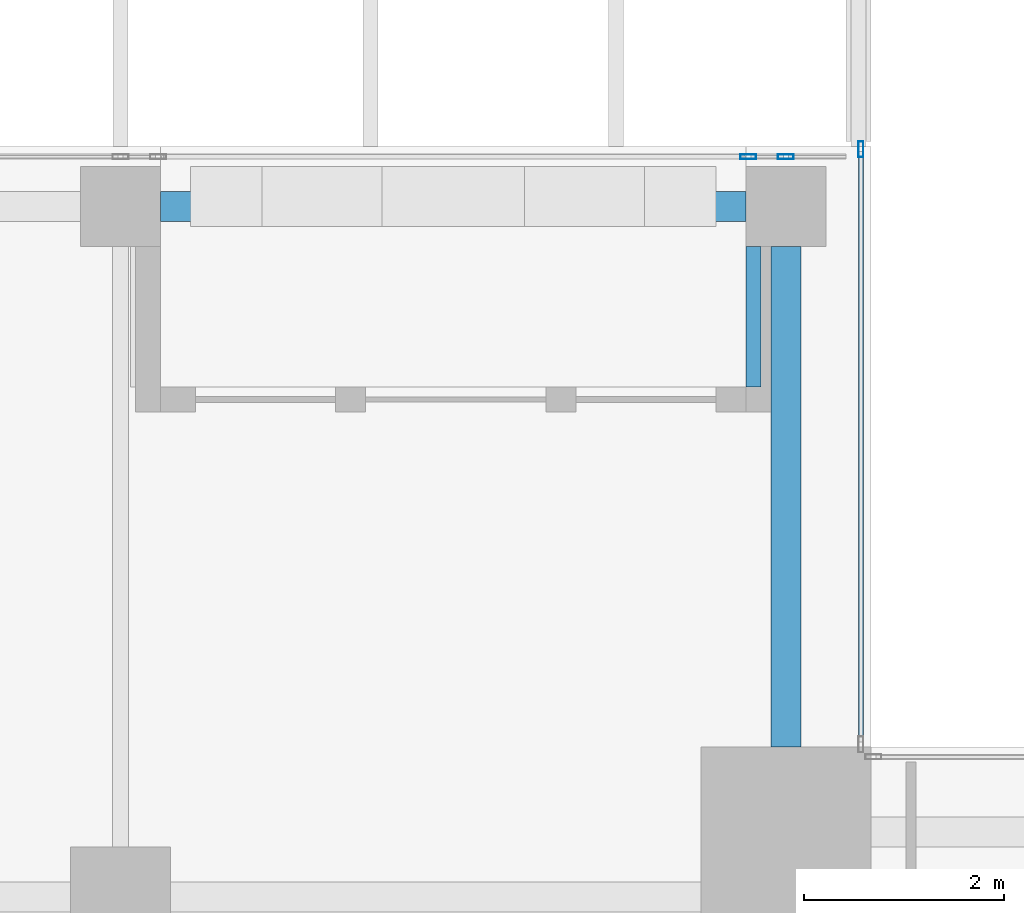
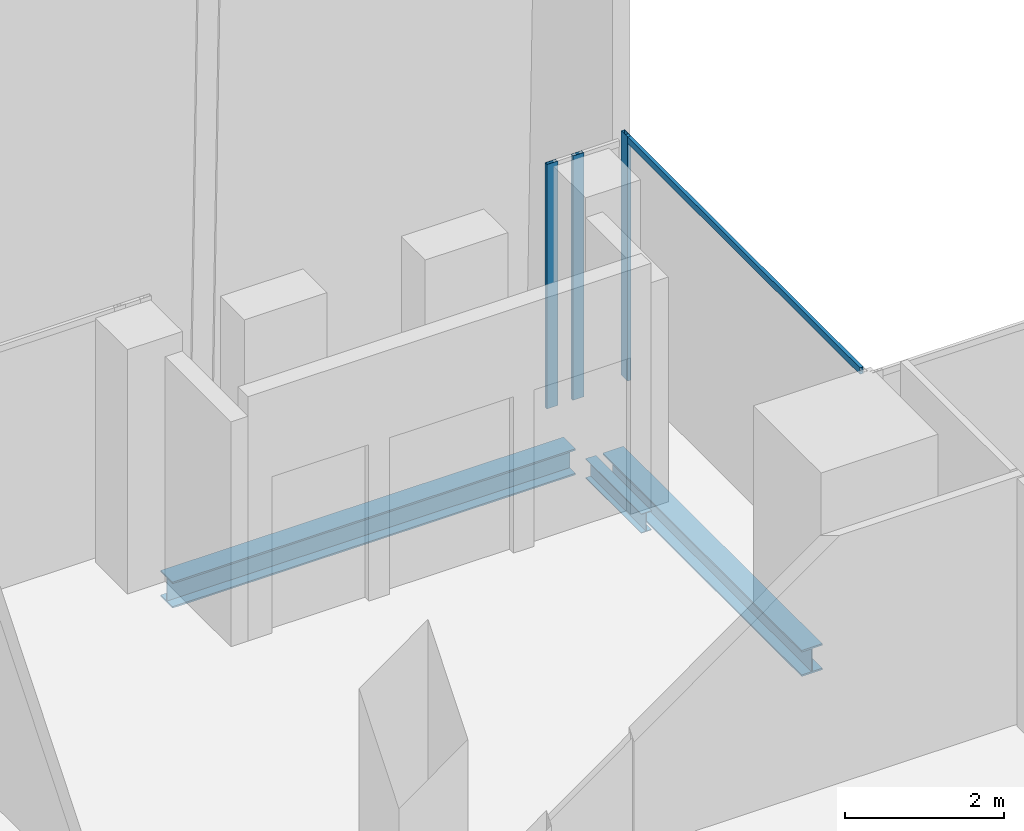
# One storey, part 19 of 33: 4 members, 3 beams, 2 elements without a shape of their own.
"""IFC4 building model written with IfcOpenShell, lengths in metres."""

from ifc_helpers import new_model, si_unit, direction, frame, origin, origin_2d, place, context, subcontext, project, spatial, hollow_rectangle, i_section, extrude, source, transform, mapped, material, material_profile, profile_set, type_object, element, aggregate, save


model = new_model("IFC4")

# Units and contexts
model_context = context("Model", 3, precision=1e-05, world=origin(), true_north=direction((0.0, 1.0)))
body_context = subcontext(model_context, "Body", "Model", "MODEL_VIEW")
ifc_project = project(units=[si_unit("LENGTHUNIT", "METRE"), si_unit("AREAUNIT", "SQUARE_METRE"), si_unit("VOLUMEUNIT", "CUBIC_METRE"), si_unit("PLANEANGLEUNIT", "RADIAN"), si_unit("MASSUNIT", "GRAM", prefix="KILO")], contexts=[model_context])

# Site, building, storey
site_placement = place(None, origin())
site = spatial("IfcSite", under=ifc_project, at=site_placement, CompositionType="ELEMENT")
building_placement = place(site_placement, origin())
building = spatial("IfcBuilding", under=site, at=building_placement, Name="Khomas Fold Tower", CompositionType="ELEMENT")
storey_placement = place(building_placement, frame((0.0, 0.0, 294.199951171875)))
storey = spatial("IfcBuildingStorey", under=building, at=storey_placement, Name="L66", CompositionType="ELEMENT", Elevation=294.199951171875)

# Beams
ifc_material_1 = material(Name="Steel S355", Category="steel")
ifc_material_profile_1 = material_profile(ifc_material_1, i_section(OverallWidth=0.300048828125, OverallDepth=0.39990234375, WebThickness=0.013427734375, FlangeThickness=0.02392578125, at=origin_2d()), Name="HE 400 B")
ifc_profile_set_1 = profile_set([ifc_material_profile_1], Name="Steel S355")
beam_type_1 = type_object("IfcBeamType", Name="HE 400 B spandrel SB5", PredefinedType="SPANDREL", material=ifc_profile_set_1)
shared_shape_1 = source(origin(), body_context, "Body", "SweptSolid", [
    extrude(i_section(OverallWidth=0.300048828125, OverallDepth=0.39990234375, WebThickness=0.013427734375, FlangeThickness=0.02392578125, at=origin_2d()), origin(), (0.0, 0.0, 1.0), 5.85009765625),
])
beam_1_placement = place(storey_placement, frame((34.89990234375, 47.39990234375, -0.449951171875), z_axis=(1.0, 0.0, 0.0), x_axis=(0.0, 1.0, 0.0)))
element("IfcBeam", 1, at=beam_1_placement, inside=storey, type_object=beam_type_1, Name="SB5", PredefinedType="SPANDREL", context=body_context, shape_type="MappedRepresentation", body=[
    mapped(shared_shape_1, transform((0.0, 0.0, 0.0))),
])
shared_shape_2 = source(origin(), body_context, "Body", "SweptSolid", [
    extrude(i_section(OverallWidth=0.300048828125, OverallDepth=0.39990234375, WebThickness=0.013427734375, FlangeThickness=0.02392578125, at=origin_2d()), origin(), (0.0, 0.0, 1.0), 5.0),
])
beam_2_placement = place(storey_placement, frame((41.14990234375, 42.0, -0.449951171875), z_axis=(0.0, 1.0, 0.0), x_axis=(-1.0, 0.0, 0.0)))
element("IfcBeam", 2, at=beam_2_placement, inside=storey, type_object=beam_type_1, Name="SB5", PredefinedType="SPANDREL", context=body_context, shape_type="MappedRepresentation", body=[
    mapped(shared_shape_2, transform((0.0, 0.0, 0.0))),
])
ifc_material_2 = material(Name="Steel S355", Category="steel")
ifc_material_profile_2 = material_profile(ifc_material_2, i_section(OverallWidth=0.14990234375, OverallDepth=0.300048828125, WebThickness=0.007080078125, FlangeThickness=0.0107421875, at=origin_2d()), Name="IPE 300")
ifc_profile_set_2 = profile_set([ifc_material_profile_2], Name="Steel S355")
beam_type_2 = type_object("IfcBeamType", Name="IPE 300 beam BB2", PredefinedType="BEAM", material=ifc_profile_set_2)
shared_shape_3 = source(origin(), body_context, "Body", "SweptSolid", [
    extrude(i_section(OverallWidth=0.14990234375, OverallDepth=0.300048828125, WebThickness=0.007080078125, FlangeThickness=0.0107421875, at=origin_2d()), origin(), (0.0, 0.0, 1.0), 1.39990234375),
])
beam_3_placement = place(storey_placement, frame((40.824951171875, 45.60009765625, -0.39990234375), z_axis=(0.0, 1.0, 0.0), x_axis=(-1.0, 0.0, 0.0)))
element("IfcBeam", 3, at=beam_3_placement, inside=storey, type_object=beam_type_2, Name="BB2", PredefinedType="BEAM", context=body_context, shape_type="MappedRepresentation", body=[
    mapped(shared_shape_3, transform((0.0, 0.0, 0.0))),
])

# Curtain wall, member
ifc_material_3 = material(Name="Aluminium framed double glazing", Category="aluminium")
curtain_wall_type = type_object("IfcCurtainWallType", Name="SK-Unitised clear-glass wall, upper floors CW3", PredefinedType="NOTDEFINED", material=ifc_material_3)
curtain_wall_1_placement = place(storey_placement, origin())
curtain_wall_1 = element("IfcCurtainWall", 4, at=curtain_wall_1_placement, inside=storey, type_object=curtain_wall_type, Name="CW3 corner return L66 05", PredefinedType="NOTDEFINED")
ifc_material_4 = material(Name="Aluminium", Category="aluminium")
ifc_material_profile_3 = material_profile(ifc_material_4, hollow_rectangle(XDim=0.050048828125, YDim=0.159912109375, WallThickness=0.00390625, at=origin_2d()), Name="SK-Unitised clear-glass wall, upper floors mullion CW3-M")
ifc_profile_set_3 = profile_set([ifc_material_profile_3], Name="Aluminium")
member_type_1 = type_object("IfcMemberType", Name="SK-Unitised clear-glass wall, upper floors mullion CW3-M", PredefinedType="MULLION", material=ifc_profile_set_3)
shared_shape_4 = source(origin(), body_context, "Body", "SweptSolid", [
    extrude(hollow_rectangle(XDim=0.050048828125, YDim=0.159912109375, WallThickness=0.00390625, at=origin_2d()), origin(), (0.0, 0.0, 1.0), 3.75),
])
member_1_placement = place(storey_placement, frame((41.89990234375, 47.97509765625, 0.0), z_axis=(0.0, 0.0, 1.0), x_axis=(-1.0, 0.0, 0.0)))
member_1 = element("IfcMember", 5, at=member_1_placement, type_object=member_type_1, Name="CW3 mullion 2", PredefinedType="MULLION", context=body_context, shape_type="MappedRepresentation", body=[
    mapped(shared_shape_4, transform((0.0, 0.0, 0.0))),
])

# Curtain wall, members
curtain_wall_2_placement = place(storey_placement, origin())
curtain_wall_2 = element("IfcCurtainWall", 6, at=curtain_wall_2_placement, inside=storey, type_object=curtain_wall_type, Name="CW3 run L66 06-0", PredefinedType="NOTDEFINED")
member_2_placement = place(storey_placement, frame((41.14990234375, 47.89990234375, 0.0), z_axis=(0.0, 0.0, 1.0), x_axis=(0.0, -1.0, 0.0)))
member_2 = element("IfcMember", 7, at=member_2_placement, type_object=member_type_1, Name="CW3 mullion 2", PredefinedType="MULLION", context=body_context, shape_type="MappedRepresentation", body=[
    mapped(shared_shape_4, transform((0.0, 0.0, 0.0))),
])
member_3_placement = place(storey_placement, frame((40.77490234375, 47.89990234375, 0.0), z_axis=(0.0, 0.0, 1.0), x_axis=(0.0, -1.0, 0.0)))
member_3 = element("IfcMember", 8, at=member_3_placement, type_object=member_type_1, Name="CW3 mullion 3", PredefinedType="MULLION", context=body_context, shape_type="MappedRepresentation", body=[
    mapped(shared_shape_4, transform((0.0, 0.0, 0.0))),
])
aggregate(curtain_wall_2, [member_2, member_3])

# Member
ifc_material_5 = material(Name="Aluminium", Category="aluminium")
ifc_material_profile_4 = material_profile(ifc_material_5, hollow_rectangle(XDim=0.050048828125, YDim=0.10009765625, WallThickness=0.00390625, at=origin_2d()), Name="SK-Unitised clear-glass wall, upper floors transom CW3-T")
ifc_profile_set_4 = profile_set([ifc_material_profile_4], Name="Aluminium")
member_type_2 = type_object("IfcMemberType", Name="SK-Unitised clear-glass wall, upper floors transom CW3-T", PredefinedType="USERDEFINED", material=ifc_profile_set_4)
shared_shape_5 = source(origin(), body_context, "Body", "SweptSolid", [
    extrude(hollow_rectangle(XDim=0.050048828125, YDim=0.10009765625, WallThickness=0.00390625, at=origin_2d()), origin(), (0.0, 0.0, 1.0), 5.89990234375),
])
member_4_placement = place(storey_placement, frame((41.89990234375, 42.050048828125, 3.699951171875), z_axis=(0.0, 1.0, 0.0), x_axis=(-1.0, 0.0, 0.0)))
member_4 = element("IfcMember", 9, at=member_4_placement, type_object=member_type_2, Name="CW3 transom 1", ObjectType="TRANSOM", PredefinedType="USERDEFINED", context=body_context, shape_type="MappedRepresentation", body=[
    mapped(shared_shape_5, transform((0.0, 0.0, 0.0))),
])

aggregate(curtain_wall_1, [member_1, member_4])

save(model, "model.ifc")
